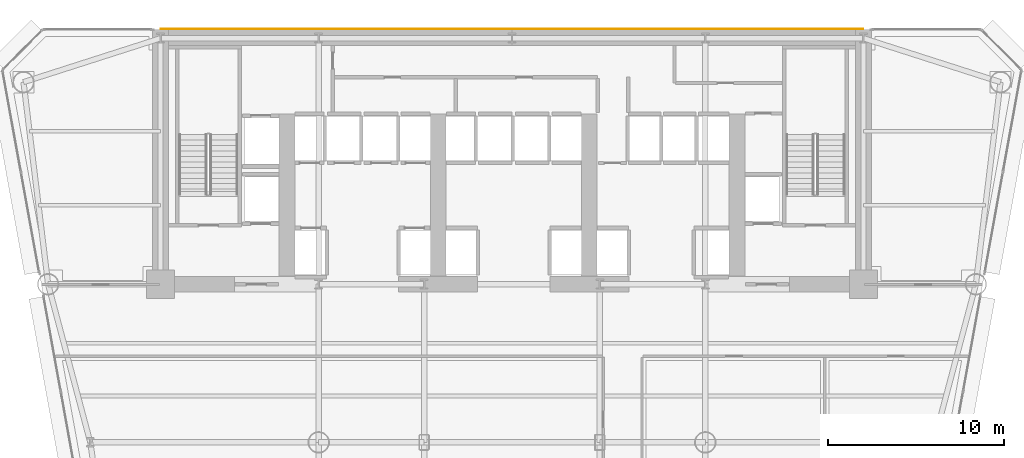
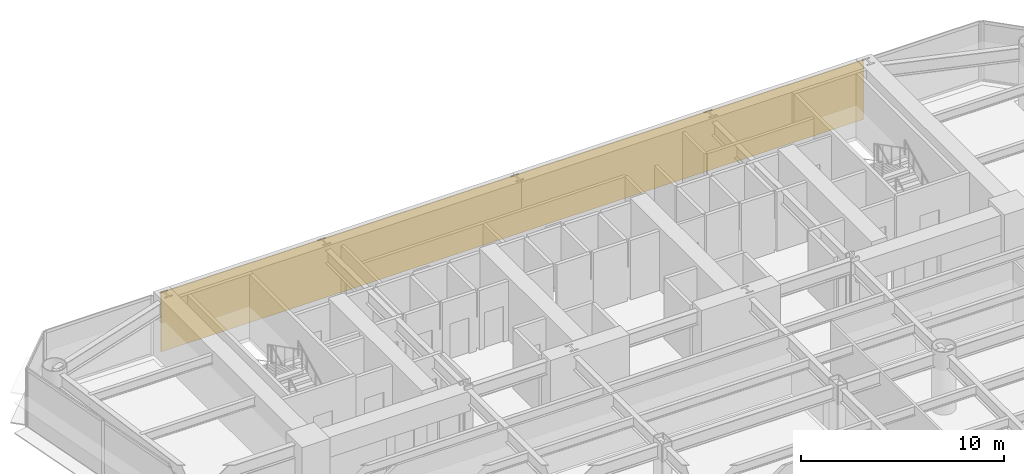
# One storey, part 13 of 14: 1 covering.
"""IFC4 building model written with IfcOpenShell, lengths in metres."""

from ifc_helpers import new_model, si_unit, direction, frame, origin, place, context, subcontext, project, spatial, polyline, outline, extrude, material, layer, layer_set, type_object, element, save


model = new_model("IFC4")

# Units and contexts
model_context = context("Model", 3, precision=1e-05, world=origin(), true_north=direction((0.0, 1.0)))
body_context = subcontext(model_context, "Body", "Model", "MODEL_VIEW")
ifc_project = project(units=[si_unit("LENGTHUNIT", "METRE"), si_unit("AREAUNIT", "SQUARE_METRE"), si_unit("VOLUMEUNIT", "CUBIC_METRE"), si_unit("PLANEANGLEUNIT", "RADIAN"), si_unit("MASSUNIT", "GRAM", prefix="KILO")], contexts=[model_context])

# Site, building, storey
site_placement = place(None, origin())
site = spatial("IfcSite", under=ifc_project, at=site_placement, CompositionType="ELEMENT")
building_placement = place(site_placement, origin())
building = spatial("IfcBuilding", under=site, at=building_placement, Name="Vaeldorn Concourse Tower", CompositionType="ELEMENT")
storey_placement = place(building_placement, frame((0.0, 0.0, 30.199951171875)))
storey = spatial("IfcBuildingStorey", under=building, at=storey_placement, Name="L07", CompositionType="ELEMENT", Elevation=30.199951171875)

# Covering
ifc_material = material(Name="Anodised Bronze Aluminium", Category="aluminium")
ifc_layer = layer(ifc_material, 0.050048828125)
ifc_layer_set = layer_set([ifc_layer], Name="Anodised Bronze Aluminium")
covering_type = type_object("IfcCoveringType", Name="COV-CLAD-BRONZE", PredefinedType="CLADDING", material=ifc_layer_set)
covering_placement = place(storey_placement, origin())
element("IfcCovering", 1, at=covering_placement, inside=storey, type_object=covering_type, Name="Rear Core Bronze Spandrel Cladding L07", PredefinedType="CLADDING", context=body_context, shape_type="SweptSolid", body=[
    extrude(outline(polyline([(14.0, 51.0), (54.0, 51.0), (54.0, 51.050048828125), (14.0, 51.050048828125), (14.0, 51.0)])), origin(), (0.0, 0.0, 1.0), 3.580078125),
])

save(model, "model.ifc")
